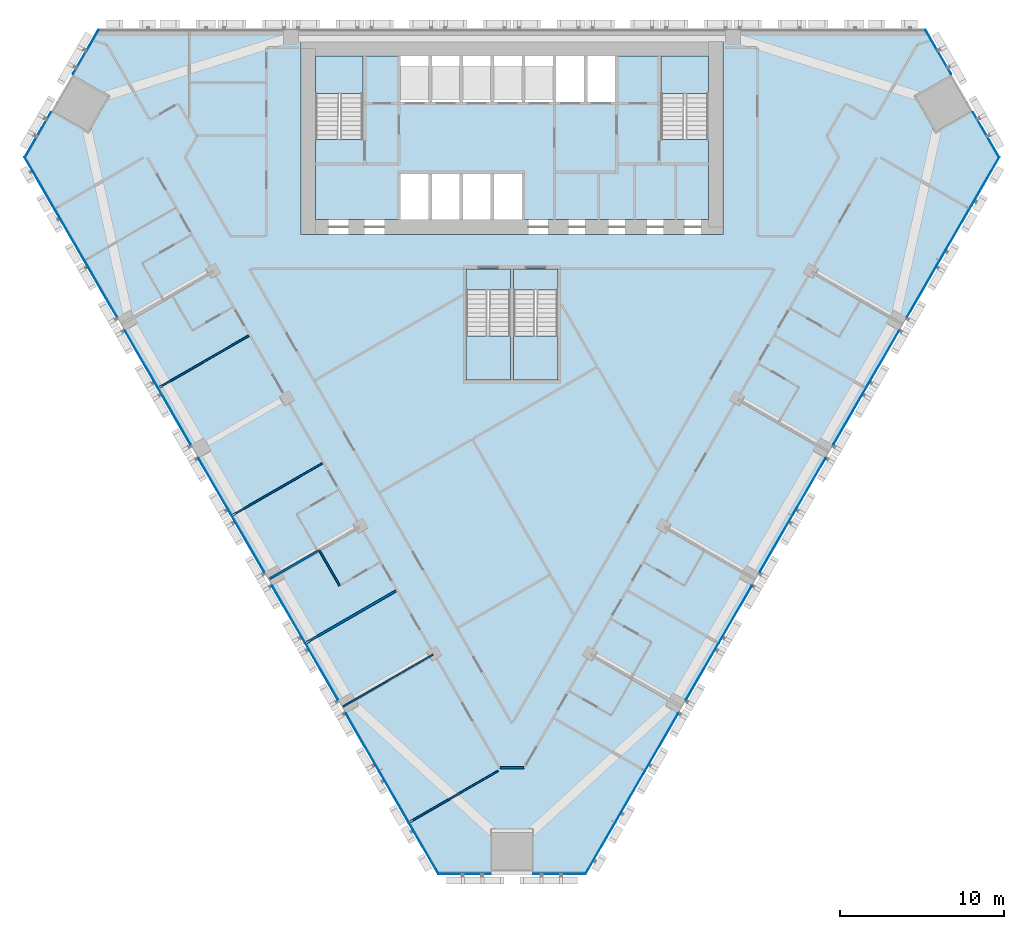
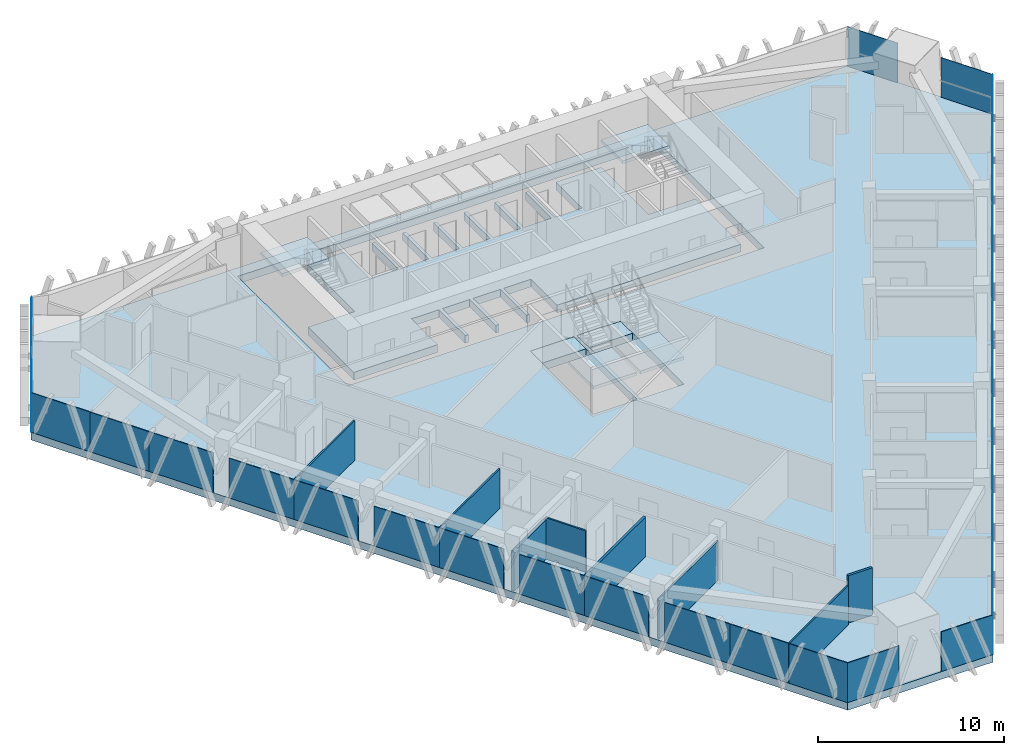
# One storey, part 8 of 16: 30 plates, 8 slabs, 8 walls, 9 elements without a shape of their own.
"""IFC4 building model written with IfcOpenShell, lengths in metres."""

from ifc_helpers import new_model, si_unit, direction, frame, frame_2d, origin, origin_2d, place, context, subcontext, project, spatial, polyline, rectangle, outline, extrude, material, layer, layer_set, type_object, element, aggregate, save


model = new_model("IFC4")

# Units and contexts
model_context = context("Model", 3, precision=1e-05, world=origin(), true_north=direction((0.0, 1.0)))
body_context = subcontext(model_context, "Body", "Model", "MODEL_VIEW")
ifc_project = project(units=[si_unit("LENGTHUNIT", "METRE"), si_unit("AREAUNIT", "SQUARE_METRE"), si_unit("VOLUMEUNIT", "CUBIC_METRE"), si_unit("PLANEANGLEUNIT", "RADIAN"), si_unit("MASSUNIT", "GRAM", prefix="KILO")], contexts=[model_context])

# Site, building, storey
site_placement = place(None, origin())
site = spatial("IfcSite", under=ifc_project, at=site_placement, CompositionType="ELEMENT")
building_placement = place(site_placement, origin())
building = spatial("IfcBuilding", under=site, at=building_placement, Name="Altiplano Prism Tower", CompositionType="ELEMENT")
storey_placement = place(building_placement, frame((0.0, 0.0, 73.800048828125)))
storey = spatial("IfcBuildingStorey", under=building, at=storey_placement, Name="L18", CompositionType="ELEMENT", Elevation=73.800048828125)

# Curtain wall, plates
ifc_material_1 = material(Name="Aluminium and glass", Category="aluminium")
ifc_layer_1 = layer(ifc_material_1, 0.280029296875)
ifc_layer_set_1 = layer_set([ifc_layer_1], Name="Aluminium and glass")
curtain_wall_type = type_object("IfcCurtainWallType", Name="CW1 typical co-living unitised curtain wall", PredefinedType="NOTDEFINED", material=ifc_layer_set_1)
curtain_wall_1_placement = place(storey_placement, origin())
curtain_wall_1 = element("IfcCurtainWall", 1, at=curtain_wall_1_placement, inside=storey, type_object=curtain_wall_type, Name="CW1 curtain wall north-west chamfer L18", PredefinedType="NOTDEFINED")
ifc_material_2 = material(Name="Clear glass", Category="glass")
ifc_layer_2 = layer(ifc_material_2, 0.0400390625)
ifc_layer_set_2 = layer_set([ifc_layer_2], Name="Clear glass")
plate_type = type_object("IfcPlateType", Name="CW1 insulated glass unit 40", PredefinedType="CURTAIN_PANEL", material=ifc_layer_set_2)
plate_1_placement = place(storey_placement, frame((58.943359375, 103.63916015625, 0.0), z_axis=(0.0, 0.0, 1.0), x_axis=(-0.500000017246, -0.866025393827, 0.0)))
plate_1 = element("IfcPlate", 2, at=plate_1_placement, type_object=plate_type, Name="CW1 panel", PredefinedType="CURTAIN_PANEL", context=body_context, shape_type="SweptSolid", body=[
    extrude(rectangle(XDim=3.109619140625, YDim=0.0400390625, at=origin_2d()), origin(), (0.0, 0.0, 1.0), 2.60009765625),
])
plate_2_placement = place(storey_placement, frame((56.023681640625, 98.581787109375, 0.0), z_axis=(0.0, 0.0, 1.0), x_axis=(-0.500000017246, -0.866025393827, 0.0)))
plate_2 = element("IfcPlate", 3, at=plate_2_placement, type_object=plate_type, Name="CW1 panel", PredefinedType="CURTAIN_PANEL", context=body_context, shape_type="SweptSolid", body=[
    extrude(rectangle(XDim=3.189697265625, YDim=0.0400390625, at=origin_2d()), origin(), (0.0, 0.0, 1.0), 2.60009765625),
])
aggregate(curtain_wall_1, [plate_1, plate_2])

curtain_wall_2_placement = place(storey_placement, origin())
curtain_wall_2 = element("IfcCurtainWall", 4, at=curtain_wall_2_placement, inside=storey, type_object=curtain_wall_type, Name="CW1 curtain wall south-west face L18", PredefinedType="NOTDEFINED")
plate_3_placement = place(storey_placement, frame((56.135498046875, 95.63720703125, 0.0), z_axis=(0.0, 0.0, 1.0), x_axis=(0.500000002811, -0.866025402161, 0.0)))
plate_3 = element("IfcPlate", 5, at=plate_3_placement, type_object=plate_type, Name="CW1 panel", PredefinedType="CURTAIN_PANEL", context=body_context, shape_type="SweptSolid", body=[
    extrude(rectangle(XDim=3.636962890625, YDim=0.0400390625, at=origin_2d()), origin(), (0.0, 0.0, 1.0), 2.60009765625),
])
plate_4_placement = place(storey_placement, frame((57.958984375, 92.478759765625, 0.0), z_axis=(0.0, 0.0, 1.0), x_axis=(0.500000002811, -0.866025402161, 0.0)))
plate_4 = element("IfcPlate", 6, at=plate_4_placement, type_object=plate_type, Name="CW1 panel", PredefinedType="CURTAIN_PANEL", context=body_context, shape_type="SweptSolid", body=[
    extrude(rectangle(XDim=3.636962890625, YDim=0.0400390625, at=origin_2d()), origin(), (0.0, 0.0, 1.0), 2.60009765625),
])
plate_5_placement = place(storey_placement, frame((59.86328125, 89.18017578125, 0.0), z_axis=(0.0, 0.0, 1.0), x_axis=(0.500000002811, -0.866025402161, 0.0)))
plate_5 = element("IfcPlate", 7, at=plate_5_placement, type_object=plate_type, Name="CW1 panel", PredefinedType="CURTAIN_PANEL", context=body_context, shape_type="SweptSolid", body=[
    extrude(rectangle(XDim=3.96044921875, YDim=0.0400390625, at=origin_2d()), origin(), (0.0, 0.0, 1.0), 2.60009765625),
])
plate_6_placement = place(storey_placement, frame((62.3583984375, 84.858642578125, 0.0), z_axis=(0.0, 0.0, 1.0), x_axis=(0.500000002811, -0.866025402161, 0.0)))
plate_6 = element("IfcPlate", 8, at=plate_6_placement, type_object=plate_type, Name="CW1 panel", PredefinedType="CURTAIN_PANEL", context=body_context, shape_type="SweptSolid", body=[
    extrude(rectangle(XDim=4.039306640625, YDim=0.0400390625, at=origin_2d()), origin(), (0.0, 0.0, 1.0), 2.60009765625),
])
plate_7_placement = place(storey_placement, frame((64.36328125, 81.385986328125, 0.0), z_axis=(0.0, 0.0, 1.0), x_axis=(0.500000002811, -0.866025402161, 0.0)))
plate_7 = element("IfcPlate", 9, at=plate_7_placement, type_object=plate_type, Name="CW1 panel", PredefinedType="CURTAIN_PANEL", context=body_context, shape_type="SweptSolid", body=[
    extrude(rectangle(XDim=3.96044921875, YDim=0.0400390625, at=origin_2d()), origin(), (0.0, 0.0, 1.0), 2.60009765625),
])
plate_8_placement = place(storey_placement, frame((66.8583984375, 77.064453125, 0.0), z_axis=(0.0, 0.0, 1.0), x_axis=(0.500000002811, -0.866025402161, 0.0)))
plate_8 = element("IfcPlate", 10, at=plate_8_placement, type_object=plate_type, Name="CW1 panel", PredefinedType="CURTAIN_PANEL", context=body_context, shape_type="SweptSolid", body=[
    extrude(rectangle(XDim=4.039306640625, YDim=0.0400390625, at=origin_2d()), origin(), (0.0, 0.0, 1.0), 2.60009765625),
])
plate_9_placement = place(storey_placement, frame((68.86328125, 73.591796875, 0.0), z_axis=(0.0, 0.0, 1.0), x_axis=(0.500000002811, -0.866025402161, 0.0)))
plate_9 = element("IfcPlate", 11, at=plate_9_placement, type_object=plate_type, Name="CW1 panel", PredefinedType="CURTAIN_PANEL", context=body_context, shape_type="SweptSolid", body=[
    extrude(rectangle(XDim=3.96044921875, YDim=0.0400390625, at=origin_2d()), origin(), (0.0, 0.0, 1.0), 2.60009765625),
])
plate_10_placement = place(storey_placement, frame((71.3583984375, 69.270263671875, 0.0), z_axis=(0.0, 0.0, 1.0), x_axis=(0.500000002811, -0.866025402161, 0.0)))
plate_10 = element("IfcPlate", 12, at=plate_10_placement, type_object=plate_type, Name="CW1 panel", PredefinedType="CURTAIN_PANEL", context=body_context, shape_type="SweptSolid", body=[
    extrude(rectangle(XDim=4.039306640625, YDim=0.0400390625, at=origin_2d()), origin(), (0.0, 0.0, 1.0), 2.60009765625),
])
plate_11_placement = place(storey_placement, frame((73.36328125, 65.797607421875, 0.0), z_axis=(0.0, 0.0, 1.0), x_axis=(0.500000002811, -0.866025402161, 0.0)))
plate_11 = element("IfcPlate", 13, at=plate_11_placement, type_object=plate_type, Name="CW1 panel", PredefinedType="CURTAIN_PANEL", context=body_context, shape_type="SweptSolid", body=[
    extrude(rectangle(XDim=3.96044921875, YDim=0.0400390625, at=origin_2d()), origin(), (0.0, 0.0, 1.0), 2.60009765625),
])
plate_12_placement = place(storey_placement, frame((75.8583984375, 61.47607421875, 0.0), z_axis=(0.0, 0.0, 1.0), x_axis=(0.500000002811, -0.866025402161, 0.0)))
plate_12 = element("IfcPlate", 14, at=plate_12_placement, type_object=plate_type, Name="CW1 panel", PredefinedType="CURTAIN_PANEL", context=body_context, shape_type="SweptSolid", body=[
    extrude(rectangle(XDim=4.039306640625, YDim=0.0400390625, at=origin_2d()), origin(), (0.0, 0.0, 1.0), 2.60009765625),
])
plate_13_placement = place(storey_placement, frame((77.782470703125, 58.1435546875, 0.0), z_axis=(0.0, 0.0, 1.0), x_axis=(0.500000002811, -0.866025402161, 0.0)))
plate_13 = element("IfcPlate", 15, at=plate_13_placement, type_object=plate_type, Name="CW1 panel", PredefinedType="CURTAIN_PANEL", context=body_context, shape_type="SweptSolid", body=[
    extrude(rectangle(XDim=3.636962890625, YDim=0.0400390625, at=origin_2d()), origin(), (0.0, 0.0, 1.0), 2.60009765625),
])
plate_14_placement = place(storey_placement, frame((79.60595703125, 54.985107421875, 0.0), z_axis=(0.0, 0.0, 1.0), x_axis=(0.500000002811, -0.866025402161, 0.0)))
plate_14 = element("IfcPlate", 16, at=plate_14_placement, type_object=plate_type, Name="CW1 panel", PredefinedType="CURTAIN_PANEL", context=body_context, shape_type="SweptSolid", body=[
    extrude(rectangle(XDim=3.636962890625, YDim=0.0400390625, at=origin_2d()), origin(), (0.0, 0.0, 1.0), 2.60009765625),
])
aggregate(curtain_wall_2, [plate_3, plate_4, plate_5, plate_6, plate_7, plate_8, plate_9, plate_10, plate_11, plate_12, plate_13, plate_14])

curtain_wall_3_placement = place(storey_placement, origin())
curtain_wall_3 = element("IfcCurtainWall", 17, at=curtain_wall_3_placement, inside=storey, type_object=curtain_wall_type, Name="CW1 curtain wall south chamfer L18", PredefinedType="NOTDEFINED")
plate_15_placement = place(storey_placement, frame((82.10009765625, 53.416015625, 0.0), z_axis=(0.0, 0.0, 1.0), x_axis=(1.0, 0.0, 0.0)))
plate_15 = element("IfcPlate", 18, at=plate_15_placement, type_object=plate_type, Name="CW1 panel", PredefinedType="CURTAIN_PANEL", context=body_context, shape_type="SweptSolid", body=[
    extrude(rectangle(XDim=3.189697265625, YDim=0.0400390625, at=origin_2d()), origin(), (0.0, 0.0, 1.0), 2.60009765625),
])
plate_16_placement = place(storey_placement, frame((87.89990234375, 53.416015625, 0.0), z_axis=(0.0, 0.0, 1.0), x_axis=(1.0, 0.0, 0.0)))
plate_16 = element("IfcPlate", 19, at=plate_16_placement, type_object=plate_type, Name="CW1 panel", PredefinedType="CURTAIN_PANEL", context=body_context, shape_type="SweptSolid", body=[
    extrude(rectangle(XDim=3.189697265625, YDim=0.0400390625, at=origin_2d()), origin(), (0.0, 0.0, 1.0), 2.60009765625),
])
aggregate(curtain_wall_3, [plate_15, plate_16])

curtain_wall_4_placement = place(storey_placement, origin())
curtain_wall_4 = element("IfcCurtainWall", 20, at=curtain_wall_4_placement, inside=storey, type_object=curtain_wall_type, Name="CW1 curtain wall south-east face L18", PredefinedType="NOTDEFINED")
plate_17_placement = place(storey_placement, frame((90.39404296875, 54.985107421875, 0.0), z_axis=(0.0, 0.0, 1.0), x_axis=(0.500000002811, 0.866025402161, 0.0)))
plate_17 = element("IfcPlate", 21, at=plate_17_placement, type_object=plate_type, Name="CW1 panel", PredefinedType="CURTAIN_PANEL", context=body_context, shape_type="SweptSolid", body=[
    extrude(rectangle(XDim=3.636962890625, YDim=0.0400390625, at=origin_2d()), origin(), (0.0, 0.0, 1.0), 2.60009765625),
])
plate_18_placement = place(storey_placement, frame((92.217529296875, 58.1435546875, 0.0), z_axis=(0.0, 0.0, 1.0), x_axis=(0.500000002811, 0.866025402161, 0.0)))
plate_18 = element("IfcPlate", 22, at=plate_18_placement, type_object=plate_type, Name="CW1 panel", PredefinedType="CURTAIN_PANEL", context=body_context, shape_type="SweptSolid", body=[
    extrude(rectangle(XDim=3.636962890625, YDim=0.0400390625, at=origin_2d()), origin(), (0.0, 0.0, 1.0), 2.60009765625),
])
plate_19_placement = place(storey_placement, frame((94.1416015625, 61.47607421875, 0.0), z_axis=(0.0, 0.0, 1.0), x_axis=(0.500000002811, 0.866025402161, 0.0)))
plate_19 = element("IfcPlate", 23, at=plate_19_placement, type_object=plate_type, Name="CW1 panel", PredefinedType="CURTAIN_PANEL", context=body_context, shape_type="SweptSolid", body=[
    extrude(rectangle(XDim=4.039306640625, YDim=0.0400390625, at=origin_2d()), origin(), (0.0, 0.0, 1.0), 2.60009765625),
])
plate_20_placement = place(storey_placement, frame((96.63671875, 65.797607421875, 0.0), z_axis=(0.0, 0.0, 1.0), x_axis=(0.500000002811, 0.866025402161, 0.0)))
plate_20 = element("IfcPlate", 24, at=plate_20_placement, type_object=plate_type, Name="CW1 panel", PredefinedType="CURTAIN_PANEL", context=body_context, shape_type="SweptSolid", body=[
    extrude(rectangle(XDim=3.96044921875, YDim=0.0400390625, at=origin_2d()), origin(), (0.0, 0.0, 1.0), 2.60009765625),
])
plate_21_placement = place(storey_placement, frame((98.6416015625, 69.270263671875, 0.0), z_axis=(0.0, 0.0, 1.0), x_axis=(0.500000002811, 0.866025402161, 0.0)))
plate_21 = element("IfcPlate", 25, at=plate_21_placement, type_object=plate_type, Name="CW1 panel", PredefinedType="CURTAIN_PANEL", context=body_context, shape_type="SweptSolid", body=[
    extrude(rectangle(XDim=4.039306640625, YDim=0.0400390625, at=origin_2d()), origin(), (0.0, 0.0, 1.0), 2.60009765625),
])
plate_22_placement = place(storey_placement, frame((101.13671875, 73.591796875, 0.0), z_axis=(0.0, 0.0, 1.0), x_axis=(0.500000002811, 0.866025402161, 0.0)))
plate_22 = element("IfcPlate", 26, at=plate_22_placement, type_object=plate_type, Name="CW1 panel", PredefinedType="CURTAIN_PANEL", context=body_context, shape_type="SweptSolid", body=[
    extrude(rectangle(XDim=3.96044921875, YDim=0.0400390625, at=origin_2d()), origin(), (0.0, 0.0, 1.0), 2.60009765625),
])
plate_23_placement = place(storey_placement, frame((103.1416015625, 77.064453125, 0.0), z_axis=(0.0, 0.0, 1.0), x_axis=(0.500000002811, 0.866025402161, 0.0)))
plate_23 = element("IfcPlate", 27, at=plate_23_placement, type_object=plate_type, Name="CW1 panel", PredefinedType="CURTAIN_PANEL", context=body_context, shape_type="SweptSolid", body=[
    extrude(rectangle(XDim=4.039306640625, YDim=0.0400390625, at=origin_2d()), origin(), (0.0, 0.0, 1.0), 2.60009765625),
])
plate_24_placement = place(storey_placement, frame((105.63671875, 81.385986328125, 0.0), z_axis=(0.0, 0.0, 1.0), x_axis=(0.500000002811, 0.866025402161, 0.0)))
plate_24 = element("IfcPlate", 28, at=plate_24_placement, type_object=plate_type, Name="CW1 panel", PredefinedType="CURTAIN_PANEL", context=body_context, shape_type="SweptSolid", body=[
    extrude(rectangle(XDim=3.96044921875, YDim=0.0400390625, at=origin_2d()), origin(), (0.0, 0.0, 1.0), 2.60009765625),
])
plate_25_placement = place(storey_placement, frame((107.6416015625, 84.858642578125, 0.0), z_axis=(0.0, 0.0, 1.0), x_axis=(0.500000002811, 0.866025402161, 0.0)))
plate_25 = element("IfcPlate", 29, at=plate_25_placement, type_object=plate_type, Name="CW1 panel", PredefinedType="CURTAIN_PANEL", context=body_context, shape_type="SweptSolid", body=[
    extrude(rectangle(XDim=4.039306640625, YDim=0.0400390625, at=origin_2d()), origin(), (0.0, 0.0, 1.0), 2.60009765625),
])
plate_26_placement = place(storey_placement, frame((110.13671875, 89.18017578125, 0.0), z_axis=(0.0, 0.0, 1.0), x_axis=(0.500000002811, 0.866025402161, 0.0)))
plate_26 = element("IfcPlate", 30, at=plate_26_placement, type_object=plate_type, Name="CW1 panel", PredefinedType="CURTAIN_PANEL", context=body_context, shape_type="SweptSolid", body=[
    extrude(rectangle(XDim=3.96044921875, YDim=0.0400390625, at=origin_2d()), origin(), (0.0, 0.0, 1.0), 2.60009765625),
])
plate_27_placement = place(storey_placement, frame((112.041015625, 92.478759765625, 0.0), z_axis=(0.0, 0.0, 1.0), x_axis=(0.500000002811, 0.866025402161, 0.0)))
plate_27 = element("IfcPlate", 31, at=plate_27_placement, type_object=plate_type, Name="CW1 panel", PredefinedType="CURTAIN_PANEL", context=body_context, shape_type="SweptSolid", body=[
    extrude(rectangle(XDim=3.636962890625, YDim=0.0400390625, at=origin_2d()), origin(), (0.0, 0.0, 1.0), 2.60009765625),
])
plate_28_placement = place(storey_placement, frame((113.864501953125, 95.63720703125, 0.0), z_axis=(0.0, 0.0, 1.0), x_axis=(0.500000002811, 0.866025402161, 0.0)))
plate_28 = element("IfcPlate", 32, at=plate_28_placement, type_object=plate_type, Name="CW1 panel", PredefinedType="CURTAIN_PANEL", context=body_context, shape_type="SweptSolid", body=[
    extrude(rectangle(XDim=3.636962890625, YDim=0.0400390625, at=origin_2d()), origin(), (0.0, 0.0, 1.0), 2.60009765625),
])
aggregate(curtain_wall_4, [plate_17, plate_18, plate_19, plate_20, plate_21, plate_22, plate_23, plate_24, plate_25, plate_26, plate_27, plate_28])

curtain_wall_5_placement = place(storey_placement, origin())
curtain_wall_5 = element("IfcCurtainWall", 33, at=curtain_wall_5_placement, inside=storey, type_object=curtain_wall_type, Name="CW1 curtain wall north-east chamfer L18", PredefinedType="NOTDEFINED")
plate_29_placement = place(storey_placement, frame((113.976318359375, 98.581787109375, 0.0), z_axis=(0.0, 0.0, 1.0), x_axis=(-0.500000017246, 0.866025393827, 0.0)))
plate_29 = element("IfcPlate", 34, at=plate_29_placement, type_object=plate_type, Name="CW1 panel", PredefinedType="CURTAIN_PANEL", context=body_context, shape_type="SweptSolid", body=[
    extrude(rectangle(XDim=3.189697265625, YDim=0.0400390625, at=origin_2d()), origin(), (0.0, 0.0, 1.0), 2.60009765625),
])
plate_30_placement = place(storey_placement, frame((111.056640625, 103.63916015625, 0.0), z_axis=(0.0, 0.0, 1.0), x_axis=(-0.500000017246, 0.866025393827, 0.0)))
plate_30 = element("IfcPlate", 35, at=plate_30_placement, type_object=plate_type, Name="CW1 panel", PredefinedType="CURTAIN_PANEL", context=body_context, shape_type="SweptSolid", body=[
    extrude(rectangle(XDim=3.109619140625, YDim=0.0400390625, at=origin_2d()), origin(), (0.0, 0.0, 1.0), 2.60009765625),
])
aggregate(curtain_wall_5, [plate_29, plate_30])

# Slabs
ifc_material_3 = material(Name="Concrete C40/50", Category="concrete")
ifc_layer_3 = layer(ifc_material_3, 0.5)
ifc_layer_set_3 = layer_set([ifc_layer_3], Name="Concrete C40/50")
slab_type_1 = type_object("IfcSlabType", Name="Core floor slab 500", PredefinedType="FLOOR", material=ifc_layer_set_3)
slab_1_placement = place(storey_placement, frame((0.0, 0.0, -0.5)))
element("IfcSlab", 36, at=slab_1_placement, inside=storey, type_object=slab_type_1, Name="Core floor slab L18", PredefinedType="FLOOR", context=body_context, shape_type="SweptSolid", body=[
    extrude(outline(polyline([(97.0, 98.31005859375), (94.10009765625, 98.31005859375), (94.10009765625, 103.39990234375), (91.300048828125, 103.39990234375), (91.300048828125, 100.60009765625), (89.60009765625, 100.60009765625), (89.60009765625, 103.39990234375), (89.39990234375, 103.39990234375), (89.39990234375, 100.60009765625), (87.699951171875, 100.60009765625), (87.699951171875, 103.39990234375), (87.5, 103.39990234375), (87.5, 100.60009765625), (85.800048828125, 100.60009765625), (85.800048828125, 103.39990234375), (85.60009765625, 103.39990234375), (85.60009765625, 100.60009765625), (83.89990234375, 100.60009765625), (83.89990234375, 103.39990234375), (83.699951171875, 103.39990234375), (83.699951171875, 100.60009765625), (82.0, 100.60009765625), (82.0, 103.39990234375), (81.800048828125, 103.39990234375), (81.800048828125, 100.60009765625), (80.10009765625, 100.60009765625), (80.10009765625, 103.39990234375), (79.89990234375, 103.39990234375), (79.89990234375, 100.60009765625), (78.199951171875, 100.60009765625), (78.199951171875, 103.39990234375), (75.89990234375, 103.39990234375), (75.89990234375, 98.31005859375), (73.0, 98.31005859375), (73.0, 93.39990234375), (78.199951171875, 93.39990234375), (78.199951171875, 96.199951171875), (79.89990234375, 96.199951171875), (79.89990234375, 93.39990234375), (80.10009765625, 93.39990234375), (80.10009765625, 96.199951171875), (81.800048828125, 96.199951171875), (81.800048828125, 93.39990234375), (82.0, 93.39990234375), (82.0, 96.199951171875), (83.699951171875, 96.199951171875), (83.699951171875, 93.39990234375), (83.89990234375, 93.39990234375), (83.89990234375, 96.199951171875), (85.60009765625, 96.199951171875), (85.60009765625, 93.39990234375), (97.0, 93.39990234375), (97.0, 98.31005859375)])), origin(), (0.0, 0.0, 1.0), 0.5),
])
slab_2_placement = place(storey_placement, frame((0.0, 0.0, -0.5)))
element("IfcSlab", 37, at=slab_2_placement, inside=storey, type_object=slab_type_1, Name="Stair 3A landing slab L18", PredefinedType="FLOOR", context=body_context, shape_type="SweptSolid", body=[
    extrude(outline(polyline([(82.199951171875, 89.096923828125), (84.89990234375, 89.096923828125), (84.89990234375, 90.39990234375), (82.199951171875, 90.39990234375), (82.199951171875, 89.096923828125)])), origin(), (0.0, 0.0, 1.0), 0.5),
])
slab_3_placement = place(storey_placement, frame((0.0, 0.0, -0.5)))
element("IfcSlab", 38, at=slab_3_placement, inside=storey, type_object=slab_type_1, Name="Stair 3B landing slab L18", PredefinedType="FLOOR", context=body_context, shape_type="SweptSolid", body=[
    extrude(outline(polyline([(85.10009765625, 89.096923828125), (87.800048828125, 89.096923828125), (87.800048828125, 90.39990234375), (85.10009765625, 90.39990234375), (85.10009765625, 89.096923828125)])), origin(), (0.0, 0.0, 1.0), 0.5),
])
ifc_layer_4 = layer(ifc_material_3, 0.5)
ifc_layer_set_4 = layer_set([ifc_layer_4], Name="Concrete C40/50")
slab_type_2 = type_object("IfcSlabType", Name="Post-tensioned flat slab 500", PredefinedType="FLOOR", material=ifc_layer_set_4)
slab_4_placement = place(storey_placement, frame((0.0, 0.0, -0.5)))
element("IfcSlab", 39, at=slab_4_placement, inside=storey, type_object=slab_type_2, Name="Floor slab L18", PredefinedType="FLOOR", context=body_context, shape_type="SweptSolid", body=[
    extrude(outline(polyline([(80.500244140625, 53.39599609375), (55.206298828125, 97.206298828125), (59.7060546875, 105.0), (110.2939453125, 105.0), (114.793701171875, 97.206298828125), (89.499755859375, 53.39599609375), (80.500244140625, 53.39599609375)]), holes=[polyline([(72.10009765625, 104.300048828125), (72.10009765625, 92.5), (97.89990234375, 92.5), (97.89990234375, 104.300048828125), (72.10009765625, 104.300048828125)]), polyline([(84.89990234375, 90.39990234375), (82.199951171875, 90.39990234375), (82.199951171875, 83.60009765625), (84.89990234375, 83.60009765625), (84.89990234375, 90.39990234375)]), polyline([(87.800048828125, 83.60009765625), (87.800048828125, 90.39990234375), (85.10009765625, 90.39990234375), (85.10009765625, 83.60009765625), (87.800048828125, 83.60009765625)])]), origin(), (0.0, 0.0, 1.0), 0.5),
])

# Stair, slab
stair_type_1 = type_object("IfcStairType", Name="Exit stair 1400", PredefinedType="HALF_TURN_STAIR", material=ifc_material_3)
stair_1_placement = place(storey_placement, origin())
stair_1 = element("IfcStair", 40, at=stair_1_placement, inside=storey, type_object=stair_type_1, Name="L18 Exit Stair 1", PredefinedType="HALF_TURN_STAIR")
ifc_layer_5 = layer(ifc_material_3, 0.199951171875)
ifc_layer_set_5 = layer_set([ifc_layer_5], Name="Concrete C40/50")
slab_type_3 = type_object("IfcSlabType", Name="Stair landing 200", PredefinedType="LANDING", material=ifc_layer_set_5)
slab_5_placement = place(storey_placement, frame((0.0, 0.0, 1.599853515625)))
slab_5 = element("IfcSlab", 41, at=slab_5_placement, type_object=slab_type_3, Name="ST1 landing 1", PredefinedType="LANDING", context=body_context, shape_type="SweptSolid", body=[
    extrude(outline(polyline([(75.89990234375, 101.096923828125), (75.89990234375, 103.39990234375), (73.0, 103.39990234375), (73.0, 101.096923828125), (75.89990234375, 101.096923828125)])), origin(), (0.0, 0.0, 1.0), 0.2001953125),
])
aggregate(stair_1, [slab_5])

stair_2_placement = place(storey_placement, origin())
stair_2 = element("IfcStair", 42, at=stair_2_placement, inside=storey, type_object=stair_type_1, Name="L18 Exit Stair 2", PredefinedType="HALF_TURN_STAIR")
slab_6_placement = place(storey_placement, frame((0.0, 0.0, 1.599853515625)))
slab_6 = element("IfcSlab", 43, at=slab_6_placement, type_object=slab_type_3, Name="ST2 landing 1", PredefinedType="LANDING", context=body_context, shape_type="SweptSolid", body=[
    extrude(outline(polyline([(97.0, 101.096923828125), (97.0, 103.39990234375), (94.10009765625, 103.39990234375), (94.10009765625, 101.096923828125), (97.0, 101.096923828125)])), origin(), (0.0, 0.0, 1.0), 0.2001953125),
])
aggregate(stair_2, [slab_6])

stair_type_2 = type_object("IfcStairType", Name="Exit stair 1300", PredefinedType="HALF_TURN_STAIR", material=ifc_material_3)
stair_3_placement = place(storey_placement, origin())
stair_3 = element("IfcStair", 44, at=stair_3_placement, inside=storey, type_object=stair_type_2, Name="L18 Exit Stair 3A", PredefinedType="HALF_TURN_STAIR")
slab_7_placement = place(storey_placement, frame((0.0, 0.0, 1.599853515625)))
slab_7 = element("IfcSlab", 45, at=slab_7_placement, type_object=slab_type_3, Name="ST3A landing 1", PredefinedType="LANDING", context=body_context, shape_type="SweptSolid", body=[
    extrude(outline(polyline([(82.199951171875, 86.302978515625), (82.199951171875, 83.60009765625), (84.89990234375, 83.60009765625), (84.89990234375, 86.302978515625), (82.199951171875, 86.302978515625)])), origin(), (0.0, 0.0, 1.0), 0.2001953125),
])
aggregate(stair_3, [slab_7])

stair_4_placement = place(storey_placement, origin())
stair_4 = element("IfcStair", 46, at=stair_4_placement, inside=storey, type_object=stair_type_2, Name="L18 Exit Stair 3B", PredefinedType="HALF_TURN_STAIR")
slab_8_placement = place(storey_placement, frame((0.0, 0.0, 1.599853515625)))
slab_8 = element("IfcSlab", 47, at=slab_8_placement, type_object=slab_type_3, Name="ST3B landing 1", PredefinedType="LANDING", context=body_context, shape_type="SweptSolid", body=[
    extrude(outline(polyline([(85.10009765625, 86.302978515625), (85.10009765625, 83.60009765625), (87.800048828125, 83.60009765625), (87.800048828125, 86.302978515625), (85.10009765625, 86.302978515625)])), origin(), (0.0, 0.0, 1.0), 0.2001953125),
])
aggregate(stair_4, [slab_8])

# Walls
ifc_material_4 = material(Name="Plasterboard on steel stud", Category="steel")
ifc_layer_6 = layer(ifc_material_4, 0.10009765625)
ifc_layer_set_6 = layer_set([ifc_layer_6], Name="Plasterboard on steel stud")
wall_type_1 = type_object("IfcWallType", Name="Partition 100 unit", PredefinedType="PARTITIONING", material=ifc_layer_set_6)
wall_1_placement = place(storey_placement, frame((74.470947265625, 71.038818359375, 0.0), z_axis=(0.0, 0.0, 1.0), x_axis=(-0.499961950354, 0.866047370643, 0.0)))
element("IfcWall", 48, at=wall_1_placement, inside=storey, type_object=wall_type_1, Name="Partition P02 L18 047", PredefinedType="PARTITIONING", context=body_context, shape_type="SweptSolid", body=[
    extrude(rectangle(XDim=2.500244140625, YDim=0.10009765625, at=frame_2d((1.25, 0.0))), origin(), (0.0, 0.0, 1.0), 2.699951171875),
])
ifc_layer_7 = layer(ifc_material_4, 0.10009765625)
ifc_layer_set_7 = layer_set([ifc_layer_7], Name="Plasterboard on steel stud")
wall_type_2 = type_object("IfcWallType", Name="Partition 100 wet", PredefinedType="PARTITIONING", material=ifc_layer_set_7)
for number, where, z_axis, x_axis, name in (
    (49, (63.42236328125, 83.13525390625, 0.0), (0.0, 0.0, 1.0), (0.866025401434, 0.500000004071, 0.0), "Partition P03 L18 040"),
    (50, (67.92236328125, 75.341064453125, 0.0), (0.0, 0.0, 1.0), (0.866025401434, 0.500000004071, 0.0), "Partition P03 L18 041"),
):
    element("IfcWall", number, at=place(storey_placement, frame(where, z_axis=z_axis, x_axis=x_axis)), inside=storey, type_object=wall_type_2, Name=name, PredefinedType="PARTITIONING", context=body_context, shape_type="SweptSolid", body=[
        extrude(rectangle(XDim=6.34521484375, YDim=0.10009765625, at=frame_2d((3.172607421875, 0.0))), origin(), (0.0, 0.0, 1.0), 2.599853515625),
    ])
wall_2_placement = place(storey_placement, frame((74.68994140625, 63.65966796875, 0.0), z_axis=(0.0, 0.0, 1.0), x_axis=(0.866015887322, 0.500016482634, 0.0)))
element("IfcWall", 51, at=wall_2_placement, inside=storey, type_object=wall_type_2, Name="Partition P03 L18 049", PredefinedType="PARTITIONING", context=body_context, shape_type="SweptSolid", body=[
    extrude(rectangle(XDim=6.324951171875, YDim=0.10009765625, at=frame_2d((3.16259765625, 0.0))), origin(), (0.0, 0.0, 1.0), 2.599853515625),
])
wall_3_placement = place(storey_placement, frame((78.745849609375, 56.59423828125, 0.0), z_axis=(0.0, 0.0, 1.0), x_axis=(0.866030443922, 0.499991270124, 0.0)))
element("IfcWall", 52, at=wall_3_placement, inside=storey, type_object=wall_type_2, Name="Partition P03 L18 050", PredefinedType="PARTITIONING", context=body_context, shape_type="SweptSolid", body=[
    extrude(rectangle(XDim=6.23681640625, YDim=0.10009765625, at=frame_2d((3.118408203125, 0.0))), origin(), (0.0, 0.0, 1.0), 2.599853515625),
])
ifc_layer_8 = layer(ifc_material_4, 0.14990234375)
ifc_layer_set_8 = layer_set([ifc_layer_8], Name="Plasterboard on steel stud")
wall_type_3 = type_object("IfcWallType", Name="Partition 150 corridor", PredefinedType="PARTITIONING", material=ifc_layer_set_8)
wall_4_placement = place(storey_placement, frame((84.253173828125, 59.89599609375, 0.0), z_axis=(0.0, 0.0, 1.0), x_axis=(1.0, 0.0, 0.0)))
element("IfcWall", 53, at=wall_4_placement, inside=storey, type_object=wall_type_3, Name="Partition P06 L18 012", PredefinedType="PARTITIONING", context=body_context, shape_type="SweptSolid", body=[
    extrude(rectangle(XDim=1.49365234375, YDim=0.14990234375, at=frame_2d((0.746826171875, 0.0))), origin(), (0.0, 0.0, 1.0), 3.099853515625),
])
ifc_layer_9 = layer(ifc_material_4, 0.14990234375)
ifc_layer_set_9 = layer_set([ifc_layer_9], Name="Plasterboard on steel stud")
wall_type_4 = type_object("IfcWallType", Name="Partition 150 party", PredefinedType="PARTITIONING", material=ifc_layer_set_9)
wall_5_placement = place(storey_placement, frame((70.18994140625, 71.4541015625, 0.0), z_axis=(0.0, 0.0, 1.0), x_axis=(0.866038183914, 0.499977863513, 0.0)))
element("IfcWall", 54, at=wall_5_placement, inside=storey, type_object=wall_type_4, Name="Partition P01 L18 044", PredefinedType="PARTITIONING", context=body_context, shape_type="SweptSolid", body=[
    extrude(rectangle(XDim=3.420166015625, YDim=0.14990234375, at=frame_2d((1.7099609375, 0.0))), origin(), (0.0, 0.0, 1.0), 2.599853515625),
])
wall_6_placement = place(storey_placement, frame((72.42236328125, 67.546875, 0.0), z_axis=(0.0, 0.0, 1.0), x_axis=(0.866025401434, 0.500000004071, 0.0)))
element("IfcWall", 55, at=wall_6_placement, inside=storey, type_object=wall_type_4, Name="Partition P01 L18 048", PredefinedType="PARTITIONING", context=body_context, shape_type="SweptSolid", body=[
    extrude(rectangle(XDim=6.34521484375, YDim=0.14990234375, at=frame_2d((3.172607421875, 0.0))), origin(), (0.0, 0.0, 1.0), 2.599853515625),
])

save(model, "model.ifc")
